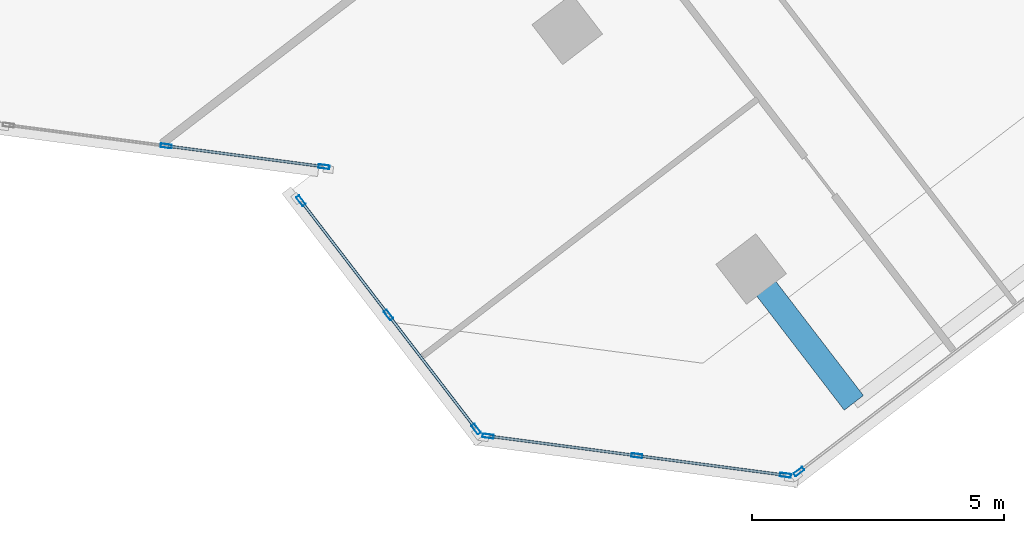
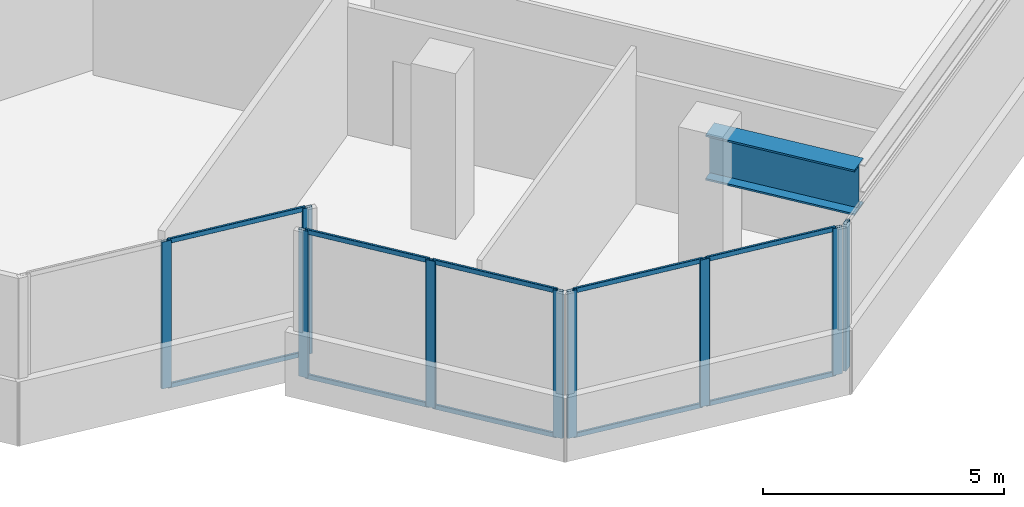
# One storey, part 3 of 17: 19 members, 1 beam, 4 elements without a shape of their own.
"""IFC4 building model written with IfcOpenShell, lengths in metres."""

from ifc_helpers import new_model, si_unit, direction, frame, origin, origin_2d, place, context, subcontext, project, spatial, hollow_rectangle, i_section, extrude, source, transform, mapped, material, material_profile, profile_set, type_object, element, aggregate, save


model = new_model("IFC4")

# Units and contexts
model_context = context("Model", 3, precision=1e-05, world=origin(), true_north=direction((0.0, 1.0)))
body_context = subcontext(model_context, "Body", "Model", "MODEL_VIEW")
ifc_project = project(units=[si_unit("LENGTHUNIT", "METRE"), si_unit("AREAUNIT", "SQUARE_METRE"), si_unit("VOLUMEUNIT", "CUBIC_METRE"), si_unit("PLANEANGLEUNIT", "RADIAN"), si_unit("MASSUNIT", "GRAM", prefix="KILO")], contexts=[model_context])

# Site, building, storey
site_placement = place(None, origin())
site = spatial("IfcSite", under=ifc_project, at=site_placement, CompositionType="ELEMENT")
building_placement = place(site_placement, origin())
building = spatial("IfcBuilding", under=site, at=building_placement, Name="Torre Montelarca", CompositionType="ELEMENT")
storey_placement = place(building_placement, frame((0.0, 0.0, 279.39990234375)))
storey = spatial("IfcBuildingStorey", under=building, at=storey_placement, Name="L63", CompositionType="ELEMENT", Elevation=279.39990234375)

# Beam
ifc_material_1 = material(Name="Steel ASTM A572 Grade 50", Category="steel")
ifc_material_profile_1 = material_profile(ifc_material_1, i_section(OverallWidth=0.47998046875, OverallDepth=1.14990234375, WebThickness=0.02197265625, FlangeThickness=0.044921875, at=origin_2d()), Name="PG1150X480X22X45", Category="steel")
ifc_profile_set_1 = profile_set([ifc_material_profile_1], Name="Steel ASTM A572 Grade 50")
beam_type = type_object("IfcBeamType", Name="BM-CG-PG1400-EXT", PredefinedType="USERDEFINED", material=ifc_profile_set_1)
shared_shape_1 = source(origin(), body_context, "Body", "SweptSolid", [
    extrude(i_section(OverallWidth=0.47998046875, OverallDepth=1.14990234375, WebThickness=0.02197265625, FlangeThickness=0.044921875, at=origin_2d()), origin(), (0.0, 0.0, 1.0), 3.349853515625),
])
beam_placement = place(storey_placement, frame((27.6328125, 10.8662109375, 3.385009765625), z_axis=(0.608755851541, -0.793357620002, 0.0), x_axis=(0.793357620002, 0.608755851541, 0.0)))
element("IfcBeam", 1, at=beam_placement, inside=storey, type_object=beam_type, Name="L63 Sliding Tray Cantilever Girder East Y=24m (FLR)", ObjectType="CANTILEVER GIRDER", PredefinedType="USERDEFINED", context=body_context, shape_type="MappedRepresentation", body=[
    mapped(shared_shape_1, transform((0.0, 0.0, 0.0), scale=1.0)),
])

# Curtain wall, members
ifc_material_2 = material(Name="Insulated low-E laminated glass", Category="glass")
curtain_wall_type = type_object("IfcCurtainWallType", Name="CW-SYS-Z3", PredefinedType="USERDEFINED", material=ifc_material_2)
curtain_wall_1_placement = place(storey_placement, origin())
curtain_wall_1 = element("IfcCurtainWall", 2, at=curtain_wall_1_placement, inside=storey, type_object=curtain_wall_type, Name="L63 Curtain Wall Run CW-T3-L63-E04-B1", ObjectType="UNITISED GLAZING", PredefinedType="USERDEFINED")
ifc_material_3 = material(Name="Anodised aluminium AA 6063-T6", Category="aluminium")
ifc_material_profile_2 = material_profile(ifc_material_3, hollow_rectangle(XDim=0.054931640625, YDim=0.1201171875, WallThickness=0.00341796875, InnerFilletRadius=0.00341796875, OuterFilletRadius=0.007080078125, at=origin_2d()), Name="ALU55X120X3.5", Category="aluminium")
ifc_profile_set_2 = profile_set([ifc_material_profile_2], Name="Anodised aluminium AA 6063-T6")
member_type_1 = type_object("IfcMemberType", Name="CWT-ALU120", PredefinedType="USERDEFINED", material=ifc_profile_set_2)
shared_shape_2 = source(origin(), body_context, "Body", "SweptSolid", [
    extrude(hollow_rectangle(XDim=0.054931640625, YDim=0.1201171875, WallThickness=0.00341796875, InnerFilletRadius=0.00341796875, OuterFilletRadius=0.007080078125, at=origin_2d()), origin(), (0.0, 0.0, 1.0), 2.78369140625),
])
member_1_placement = place(storey_placement, frame((18.7119140625, 12.192626953125, 0.027587890625), z_axis=(0.608748184307, -0.793363503133, 0.0), x_axis=(0.793363503133, 0.608748184307, 0.0)))
member_1 = element("IfcMember", 3, at=member_1_placement, type_object=member_type_1, Name="CW transom 1.1", ObjectType="TRANSOM", PredefinedType="USERDEFINED", context=body_context, shape_type="MappedRepresentation", body=[
    mapped(shared_shape_2, transform((0.0, 0.0, 0.0), scale=1.0)),
])
member_2_placement = place(storey_placement, frame((18.7119140625, 12.192626953125, 3.692626953125), z_axis=(0.608748184307, -0.793363503133, 0.0), x_axis=(0.793363503133, 0.608748184307, 0.0)))
member_2 = element("IfcMember", 4, at=member_2_placement, type_object=member_type_1, Name="CW transom 1.2", ObjectType="TRANSOM", PredefinedType="USERDEFINED", context=body_context, shape_type="MappedRepresentation", body=[
    mapped(shared_shape_2, transform((0.0, 0.0, 0.0), scale=1.0)),
])
member_3_placement = place(storey_placement, frame((20.4521484375, 9.9248046875, 0.027587890625), z_axis=(0.608748184307, -0.793363503133, 0.0), x_axis=(0.793363503133, 0.608748184307, 0.0)))
member_3 = element("IfcMember", 5, at=member_3_placement, type_object=member_type_1, Name="CW transom 2.1", ObjectType="TRANSOM", PredefinedType="USERDEFINED", context=body_context, shape_type="MappedRepresentation", body=[
    mapped(shared_shape_2, transform((0.0, 0.0, 0.0), scale=1.0)),
])
member_4_placement = place(storey_placement, frame((20.4521484375, 9.9248046875, 3.692626953125), z_axis=(0.608748184307, -0.793363503133, 0.0), x_axis=(0.793363503133, 0.608748184307, 0.0)))
member_4 = element("IfcMember", 6, at=member_4_placement, type_object=member_type_1, Name="CW transom 2.2", ObjectType="TRANSOM", PredefinedType="USERDEFINED", context=body_context, shape_type="MappedRepresentation", body=[
    mapped(shared_shape_2, transform((0.0, 0.0, 0.0), scale=1.0)),
])

curtain_wall_2_placement = place(storey_placement, origin())
curtain_wall_2 = element("IfcCurtainWall", 7, at=curtain_wall_2_placement, inside=storey, type_object=curtain_wall_type, Name="L63 Curtain Wall Run CW-T3-L63-E02-B1", ObjectType="UNITISED GLAZING", PredefinedType="USERDEFINED")
ifc_material_profile_3 = material_profile(ifc_material_3, hollow_rectangle(XDim=0.074951171875, YDim=0.219970703125, WallThickness=0.0048828125, InnerFilletRadius=0.0048828125, OuterFilletRadius=0.010009765625, at=origin_2d()), Name="ALU75X220X5", Category="aluminium")
ifc_profile_set_3 = profile_set([ifc_material_profile_3], Name="Anodised aluminium AA 6063-T6")
member_type_2 = type_object("IfcMemberType", Name="CWM-ALU220", PredefinedType="MULLION", material=ifc_profile_set_3)
shared_shape_3 = source(origin(), body_context, "Body", "SweptSolid", [
    extrude(hollow_rectangle(XDim=0.074951171875, YDim=0.219970703125, WallThickness=0.0048828125, InnerFilletRadius=0.0048828125, OuterFilletRadius=0.010009765625, at=origin_2d()), origin(), (0.0, 0.0, 1.0), 3.72021484375),
])
member_5_placement = place(storey_placement, frame((16.015625, 13.311279296875, 0.0), z_axis=(0.0, 0.0, 1.0), x_axis=(0.130514735715, 0.991446369584, 0.0)))
member_5 = element("IfcMember", 8, at=member_5_placement, type_object=member_type_2, Name="CW mullion 2", PredefinedType="MULLION", context=body_context, shape_type="MappedRepresentation", body=[
    mapped(shared_shape_3, transform((0.0, 0.0, 0.0), scale=1.0)),
])
member_6_placement = place(storey_placement, frame((19.151123046875, 12.8984375, 0.0), z_axis=(0.0, 0.0, 1.0), x_axis=(0.130514735715, 0.991446369584, 0.0)))
member_6 = element("IfcMember", 9, at=member_6_placement, type_object=member_type_2, Name="CW mullion 3", PredefinedType="MULLION", context=body_context, shape_type="MappedRepresentation", body=[
    mapped(shared_shape_3, transform((0.0, 0.0, 0.0), scale=1.0)),
])

# Member
member_7_placement = place(storey_placement, frame((18.68896484375, 12.222412109375, 0.0), z_axis=(0.0, 0.0, 1.0), x_axis=(0.793353149171, 0.608761678082, 0.0)))
member_7 = element("IfcMember", 10, at=member_7_placement, type_object=member_type_2, Name="CW mullion 1", PredefinedType="MULLION", context=body_context, shape_type="MappedRepresentation", body=[
    mapped(shared_shape_3, transform((0.0, 0.0, 0.0), scale=1.0)),
])

member_8_placement = place(storey_placement, frame((20.42919921875, 9.954345703125, 0.0), z_axis=(0.0, 0.0, 1.0), x_axis=(0.793353149171, 0.608761678082, 0.0)))
member_8 = element("IfcMember", 11, at=member_8_placement, type_object=member_type_2, Name="CW mullion 2", PredefinedType="MULLION", context=body_context, shape_type="MappedRepresentation", body=[
    mapped(shared_shape_3, transform((0.0, 0.0, 0.0), scale=1.0)),
])

member_9_placement = place(storey_placement, frame((22.16943359375, 7.6865234375, 0.0), z_axis=(0.0, 0.0, 1.0), x_axis=(0.793353149171, 0.608761678082, 0.0)))
member_9 = element("IfcMember", 12, at=member_9_placement, type_object=member_type_2, Name="CW mullion 3", PredefinedType="MULLION", context=body_context, shape_type="MappedRepresentation", body=[
    mapped(shared_shape_3, transform((0.0, 0.0, 0.0), scale=1.0)),
])

aggregate(curtain_wall_1, [member_7, member_8, member_9, member_1, member_2, member_3, member_4])

# Curtain wall, members
curtain_wall_3_placement = place(storey_placement, origin())
curtain_wall_3 = element("IfcCurtainWall", 13, at=curtain_wall_3_placement, inside=storey, type_object=curtain_wall_type, Name="L63 Curtain Wall Run CW-T3-L63-E05-B1", ObjectType="UNITISED GLAZING", PredefinedType="USERDEFINED")
member_10_placement = place(storey_placement, frame((22.40869140625, 7.54833984375, 0.0), z_axis=(0.0, 0.0, 1.0), x_axis=(0.130514118862, 0.991446450787, 0.0)))
member_10 = element("IfcMember", 14, at=member_10_placement, type_object=member_type_2, Name="CW mullion 1", PredefinedType="MULLION", context=body_context, shape_type="MappedRepresentation", body=[
    mapped(shared_shape_3, transform((0.0, 0.0, 0.0), scale=1.0)),
])
member_11_placement = place(storey_placement, frame((25.36181640625, 7.15966796875, 0.0), z_axis=(0.0, 0.0, 1.0), x_axis=(0.130514118862, 0.991446450787, 0.0)))
member_11 = element("IfcMember", 15, at=member_11_placement, type_object=member_type_2, Name="CW mullion 2", PredefinedType="MULLION", context=body_context, shape_type="MappedRepresentation", body=[
    mapped(shared_shape_3, transform((0.0, 0.0, 0.0), scale=1.0)),
])
member_12_placement = place(storey_placement, frame((28.31494140625, 6.77099609375, 0.0), z_axis=(0.0, 0.0, 1.0), x_axis=(0.130514118862, 0.991446450787, 0.0)))
member_12 = element("IfcMember", 16, at=member_12_placement, type_object=member_type_2, Name="CW mullion 3", PredefinedType="MULLION", context=body_context, shape_type="MappedRepresentation", body=[
    mapped(shared_shape_3, transform((0.0, 0.0, 0.0), scale=1.0)),
])

# Curtain wall, member
curtain_wall_4_placement = place(storey_placement, origin())
curtain_wall_4 = element("IfcCurtainWall", 17, at=curtain_wall_4_placement, inside=storey, type_object=curtain_wall_type, Name="L63 Curtain Wall Run CW-T3-L63-E06-B1", ObjectType="UNITISED GLAZING", PredefinedType="USERDEFINED")
member_13_placement = place(storey_placement, frame((28.581787109375, 6.84228515625, 0.0), z_axis=(0.0, 0.0, 1.0), x_axis=(-0.608763250019, 0.793351942978, 0.0)))
member_13 = element("IfcMember", 18, at=member_13_placement, type_object=member_type_2, Name="CW mullion 1", PredefinedType="MULLION", context=body_context, shape_type="MappedRepresentation", body=[
    mapped(shared_shape_3, transform((0.0, 0.0, 0.0), scale=1.0)),
])
aggregate(curtain_wall_4, [member_13])

# Member
shared_shape_4 = source(origin(), body_context, "Body", "SweptSolid", [
    extrude(hollow_rectangle(XDim=0.054931640625, YDim=0.1201171875, WallThickness=0.00341796875, InnerFilletRadius=0.00341796875, OuterFilletRadius=0.007080078125, at=origin_2d()), origin(), (0.0, 0.0, 1.0), 3.087646484375),
])
member_14_placement = place(storey_placement, frame((16.052734375, 13.306396484375, 0.027587890625), z_axis=(0.991442719296, -0.130542461884, 0.0), x_axis=(0.130542461884, 0.991442719296, 0.0)))
member_14 = element("IfcMember", 19, at=member_14_placement, type_object=member_type_1, Name="CW transom 2.1", ObjectType="TRANSOM", PredefinedType="USERDEFINED", context=body_context, shape_type="MappedRepresentation", body=[
    mapped(shared_shape_4, transform((0.0, 0.0, 0.0), scale=1.0)),
])

member_15_placement = place(storey_placement, frame((16.052734375, 13.306396484375, 3.692626953125), z_axis=(0.991442719296, -0.130542461884, 0.0), x_axis=(0.130542461884, 0.991442719296, 0.0)))
member_15 = element("IfcMember", 20, at=member_15_placement, type_object=member_type_1, Name="CW transom 2.2", ObjectType="TRANSOM", PredefinedType="USERDEFINED", context=body_context, shape_type="MappedRepresentation", body=[
    mapped(shared_shape_4, transform((0.0, 0.0, 0.0), scale=1.0)),
])

aggregate(curtain_wall_2, [member_5, member_6, member_14, member_15])

shared_shape_5 = source(origin(), body_context, "Body", "SweptSolid", [
    extrude(hollow_rectangle(XDim=0.054931640625, YDim=0.1201171875, WallThickness=0.00341796875, InnerFilletRadius=0.00341796875, OuterFilletRadius=0.007080078125, at=origin_2d()), origin(), (0.0, 0.0, 1.0), 2.90380859375),
])
member_16_placement = place(storey_placement, frame((22.44580078125, 7.54345703125, 0.027587890625), z_axis=(0.991449716135, -0.13048931135, 0.0), x_axis=(0.13048931135, 0.991449716135, 0.0)))
member_16 = element("IfcMember", 21, at=member_16_placement, type_object=member_type_1, Name="CW transom 1.1", ObjectType="TRANSOM", PredefinedType="USERDEFINED", context=body_context, shape_type="MappedRepresentation", body=[
    mapped(shared_shape_5, transform((0.0, 0.0, 0.0), scale=1.0)),
])

member_17_placement = place(storey_placement, frame((22.44580078125, 7.54345703125, 3.692626953125), z_axis=(0.991449716135, -0.13048931135, 0.0), x_axis=(0.13048931135, 0.991449716135, 0.0)))
member_17 = element("IfcMember", 22, at=member_17_placement, type_object=member_type_1, Name="CW transom 1.2", ObjectType="TRANSOM", PredefinedType="USERDEFINED", context=body_context, shape_type="MappedRepresentation", body=[
    mapped(shared_shape_5, transform((0.0, 0.0, 0.0), scale=1.0)),
])

member_18_placement = place(storey_placement, frame((25.39892578125, 7.15478515625, 0.027587890625), z_axis=(0.991449716135, -0.13048931135, 0.0), x_axis=(0.13048931135, 0.991449716135, 0.0)))
member_18 = element("IfcMember", 23, at=member_18_placement, type_object=member_type_1, Name="CW transom 2.1", ObjectType="TRANSOM", PredefinedType="USERDEFINED", context=body_context, shape_type="MappedRepresentation", body=[
    mapped(shared_shape_5, transform((0.0, 0.0, 0.0), scale=1.0)),
])

member_19_placement = place(storey_placement, frame((25.39892578125, 7.15478515625, 3.692626953125), z_axis=(0.991449716135, -0.13048931135, 0.0), x_axis=(0.13048931135, 0.991449716135, 0.0)))
member_19 = element("IfcMember", 24, at=member_19_placement, type_object=member_type_1, Name="CW transom 2.2", ObjectType="TRANSOM", PredefinedType="USERDEFINED", context=body_context, shape_type="MappedRepresentation", body=[
    mapped(shared_shape_5, transform((0.0, 0.0, 0.0), scale=1.0)),
])

aggregate(curtain_wall_3, [member_10, member_11, member_12, member_16, member_17, member_18, member_19])

save(model, "model.ifc")
